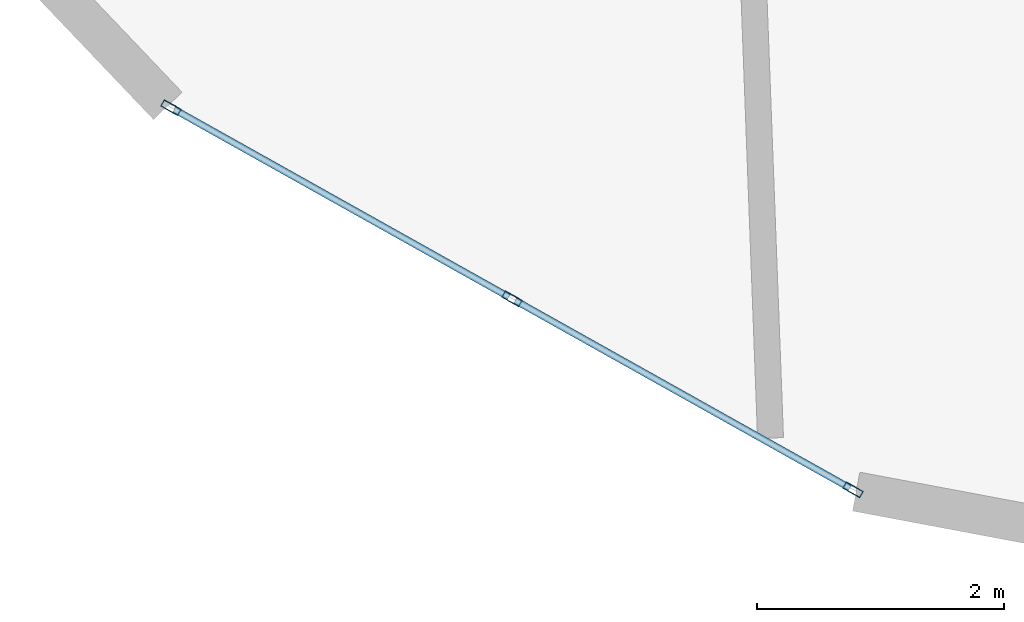
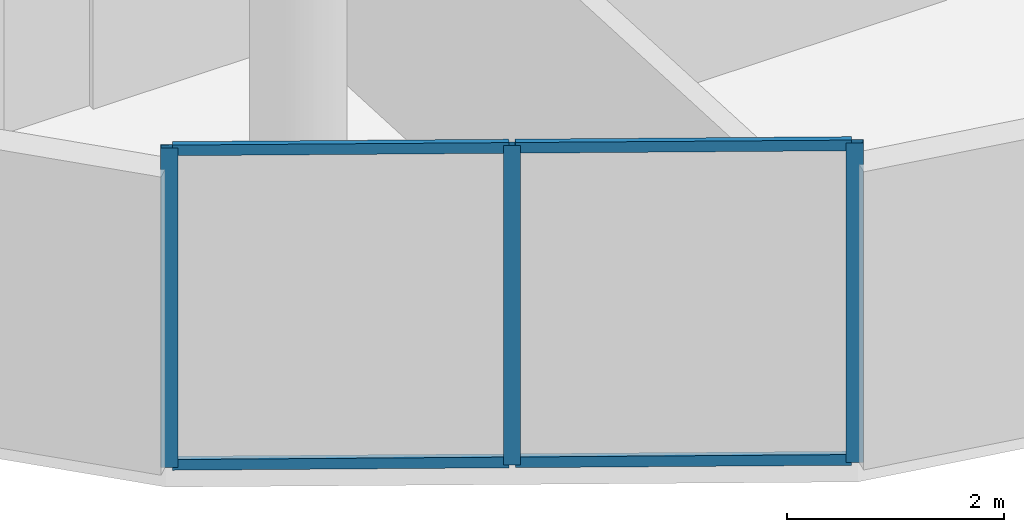
# One storey, part 2 of 21: 7 members, 1 element without a shape of its own.
"""IFC4 building model written with IfcOpenShell, lengths in metres."""

from ifc_helpers import new_model, si_unit, direction, frame, origin, origin_2d, place, context, subcontext, project, spatial, hollow_rectangle, extrude, source, transform, mapped, material, layer, layer_set, material_profile, profile_set, type_object, element, aggregate, save


model = new_model("IFC4")

# Units and contexts
model_context = context("Model", 3, precision=1e-05, world=origin(), true_north=direction((0.0, 1.0)))
body_context = subcontext(model_context, "Body", "Model", "MODEL_VIEW")
ifc_project = project(units=[si_unit("LENGTHUNIT", "METRE"), si_unit("AREAUNIT", "SQUARE_METRE"), si_unit("VOLUMEUNIT", "CUBIC_METRE"), si_unit("PLANEANGLEUNIT", "RADIAN"), si_unit("MASSUNIT", "GRAM", prefix="KILO")], contexts=[model_context])

# Site, building, storey
site_placement = place(None, origin())
site = spatial("IfcSite", under=ifc_project, at=site_placement, CompositionType="ELEMENT")
building_placement = place(site_placement, origin())
building = spatial("IfcBuilding", under=site, at=building_placement, Name="Solvirekh Grand Hotel", CompositionType="ELEMENT")
storey_placement = place(building_placement, frame((0.0, 0.0, 220.0)))
storey = spatial("IfcBuildingStorey", under=building, at=storey_placement, Name="L57", CompositionType="ELEMENT", Elevation=220.0)

# Curtain wall, members
ifc_material = material(Name="Anodized Bronze Aluminium 6063-T6", Category="aluminium")
ifc_layer = layer(ifc_material, 0.159912109375)
ifc_layer_set = layer_set([ifc_layer], Name="Anodized Bronze Aluminium 6063-T6")
curtain_wall_type = type_object("IfcCurtainWallType", Name="CW_Sys4_HighZoneFlushBronzeCW", PredefinedType="NOTDEFINED", material=ifc_layer_set)
curtain_wall_placement = place(storey_placement, origin())
curtain_wall = element("IfcCurtainWall", 1, at=curtain_wall_placement, inside=storey, type_object=curtain_wall_type, Name="L57 unitised bronze-glass curtain wall CW-L57-C18", PredefinedType="NOTDEFINED")
ifc_material_profile_1 = material_profile(ifc_material, hollow_rectangle(XDim=0.06005859375, YDim=0.159912109375, WallThickness=0.0048828125, at=origin_2d()), Name="ALU RHS 160X60X5")
ifc_profile_set_1 = profile_set([ifc_material_profile_1], Name="Anodized Bronze Aluminium 6063-T6")
member_type_1 = type_object("IfcMemberType", Name="CWMullion_Sys4", PredefinedType="MULLION", material=ifc_profile_set_1)
shared_shape_1 = source(origin(), body_context, "Body", "SweptSolid", [
    extrude(hollow_rectangle(XDim=0.06005859375, YDim=0.159912109375, WallThickness=0.0048828125, at=origin_2d()), origin(), (0.0, 0.0, 1.0), 3.60009765625),
])
member_1_placement = place(storey_placement, frame((-11.31591796875, -17.214599609375, 0.0), z_axis=(0.0, 0.0, 1.0), x_axis=(0.488789228615, 0.87240190852, 0.0)))
member_1 = element("IfcMember", 2, at=member_1_placement, type_object=member_type_1, Name="U04 mullion 1", PredefinedType="MULLION", context=body_context, shape_type="MappedRepresentation", body=[
    mapped(shared_shape_1, transform((0.0, 0.0, 0.0), x_axis=(1.0, 0.0, 0.0), y_axis=(0.0, 1.0, 0.0), z_axis=(0.0, 0.0, 1.0), scale=1.0)),
])
member_2_placement = place(storey_placement, frame((-8.554931640625, -18.761474609375, 0.0), z_axis=(0.0, 0.0, 1.0), x_axis=(0.488789228615, 0.87240190852, 0.0)))
member_2 = element("IfcMember", 3, at=member_2_placement, type_object=member_type_1, Name="U04 mullion 2", PredefinedType="MULLION", context=body_context, shape_type="MappedRepresentation", body=[
    mapped(shared_shape_1, transform((0.0, 0.0, 0.0), x_axis=(1.0, 0.0, 0.0), y_axis=(0.0, 1.0, 0.0), z_axis=(0.0, 0.0, 1.0), scale=1.0)),
])
member_3_placement = place(storey_placement, frame((-5.794189453125, -20.308349609375, 0.0), z_axis=(0.0, 0.0, 1.0), x_axis=(0.488789228615, 0.87240190852, 0.0)))
member_3 = element("IfcMember", 4, at=member_3_placement, type_object=member_type_1, Name="U04 mullion 3", PredefinedType="MULLION", context=body_context, shape_type="MappedRepresentation", body=[
    mapped(shared_shape_1, transform((0.0, 0.0, 0.0), x_axis=(1.0, 0.0, 0.0), y_axis=(0.0, 1.0, 0.0), z_axis=(0.0, 0.0, 1.0), scale=1.0)),
])
ifc_material_profile_2 = material_profile(ifc_material, hollow_rectangle(XDim=0.054931640625, YDim=0.1201171875, WallThickness=0.00390625, at=origin_2d()), Name="ALU RHS 120X55X4")
ifc_profile_set_2 = profile_set([ifc_material_profile_2], Name="Anodized Bronze Aluminium 6063-T6")
member_type_2 = type_object("IfcMemberType", Name="CWTransom_Sys4", PredefinedType="USERDEFINED", material=ifc_profile_set_2)
shared_shape_2 = source(origin(), body_context, "Body", "SweptSolid", [
    extrude(hollow_rectangle(XDim=0.054931640625, YDim=0.1201171875, WallThickness=0.00390625, at=origin_2d()), origin(), (0.0, 0.0, 1.0), 3.104736328125),
])
member_4_placement = place(storey_placement, frame((-11.28955078125, -17.229248046875, 0.027587890625), z_axis=(0.872393353878, -0.488804496818, 0.0), x_axis=(0.488804496818, 0.872393353878, 0.0)))
member_4 = element("IfcMember", 5, at=member_4_placement, type_object=member_type_2, Name="U04 transom 1.1", ObjectType="TRANSOM", PredefinedType="USERDEFINED", context=body_context, shape_type="MappedRepresentation", body=[
    mapped(shared_shape_2, transform((0.0, 0.0, 0.0), x_axis=(1.0, 0.0, 0.0), y_axis=(0.0, 1.0, 0.0), z_axis=(0.0, 0.0, 1.0), scale=1.0)),
])
member_5_placement = place(storey_placement, frame((-11.28955078125, -17.229248046875, 3.572509765625), z_axis=(0.872393353878, -0.488804496818, 0.0), x_axis=(0.488804496818, 0.872393353878, 0.0)))
member_5 = element("IfcMember", 6, at=member_5_placement, type_object=member_type_2, Name="U04 transom 1.2", ObjectType="TRANSOM", PredefinedType="USERDEFINED", context=body_context, shape_type="MappedRepresentation", body=[
    mapped(shared_shape_2, transform((0.0, 0.0, 0.0), x_axis=(1.0, 0.0, 0.0), y_axis=(0.0, 1.0, 0.0), z_axis=(0.0, 0.0, 1.0), scale=1.0)),
])
member_6_placement = place(storey_placement, frame((-8.52880859375, -18.776123046875, 0.027587890625), z_axis=(0.872393353878, -0.488804496818, 0.0), x_axis=(0.488804496818, 0.872393353878, 0.0)))
member_6 = element("IfcMember", 7, at=member_6_placement, type_object=member_type_2, Name="U04 transom 2.1", ObjectType="TRANSOM", PredefinedType="USERDEFINED", context=body_context, shape_type="MappedRepresentation", body=[
    mapped(shared_shape_2, transform((0.0, 0.0, 0.0), x_axis=(1.0, 0.0, 0.0), y_axis=(0.0, 1.0, 0.0), z_axis=(0.0, 0.0, 1.0), scale=1.0)),
])
member_7_placement = place(storey_placement, frame((-8.52880859375, -18.776123046875, 3.572509765625), z_axis=(0.872393353878, -0.488804496818, 0.0), x_axis=(0.488804496818, 0.872393353878, 0.0)))
member_7 = element("IfcMember", 8, at=member_7_placement, type_object=member_type_2, Name="U04 transom 2.2", ObjectType="TRANSOM", PredefinedType="USERDEFINED", context=body_context, shape_type="MappedRepresentation", body=[
    mapped(shared_shape_2, transform((0.0, 0.0, 0.0), x_axis=(1.0, 0.0, 0.0), y_axis=(0.0, 1.0, 0.0), z_axis=(0.0, 0.0, 1.0), scale=1.0)),
])
aggregate(curtain_wall, [member_1, member_2, member_3, member_4, member_5, member_6, member_7])

save(model, "model.ifc")
